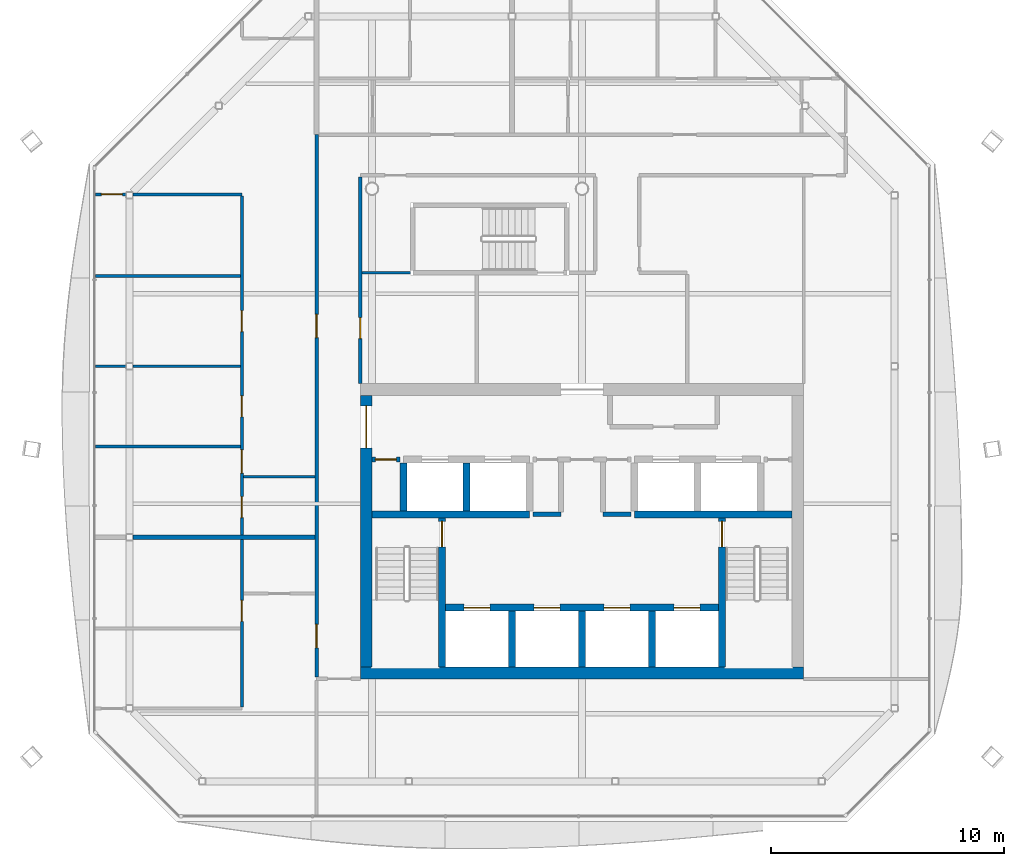
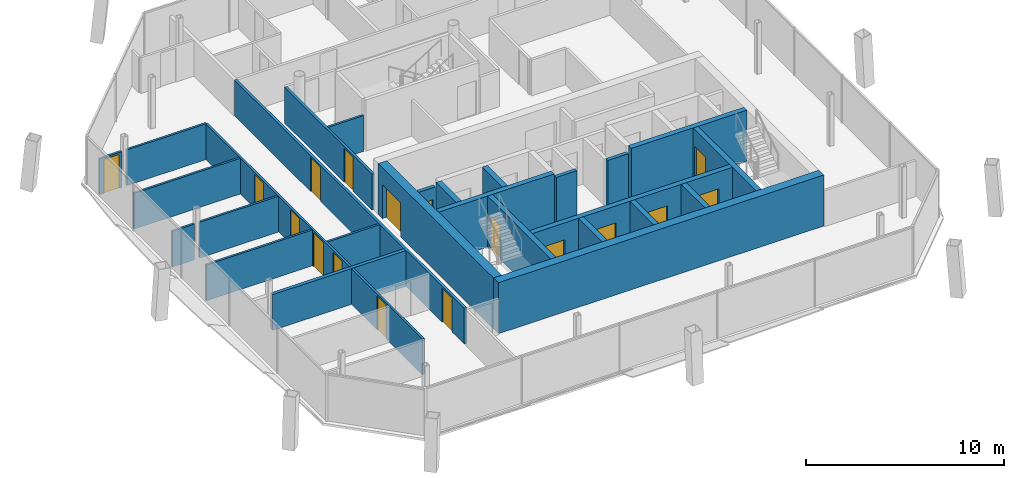
# One storey, part 10 of 15: 27 walls, 17 doors, 17 openings.
"""IFC4 building model written with IfcOpenShell, lengths in metres."""

from ifc_helpers import new_model, si_unit, direction, frame, frame_2d, origin, place, context, subcontext, project, spatial, rectangle, extrude, material, layer, layer_set, type_object, element, fill, save


model = new_model("IFC4")

# Units and contexts
model_context = context("Model", 3, precision=1e-05, world=origin(), true_north=direction((0.0, 1.0)))
body_context = subcontext(model_context, "Body", "Model", "MODEL_VIEW")
ifc_project = project(units=[si_unit("LENGTHUNIT", "METRE"), si_unit("AREAUNIT", "SQUARE_METRE"), si_unit("VOLUMEUNIT", "CUBIC_METRE"), si_unit("PLANEANGLEUNIT", "RADIAN"), si_unit("MASSUNIT", "GRAM", prefix="KILO")], contexts=[model_context])

# Site, building, storey
site_placement = place(None, origin())
site = spatial("IfcSite", under=ifc_project, at=site_placement, CompositionType="ELEMENT")
building_placement = place(site_placement, origin())
building = spatial("IfcBuilding", under=site, at=building_placement, Name="Tskaro Facet Tower", CompositionType="ELEMENT")
storey_placement = place(building_placement, frame((0.0, 0.0, 242.39990234375)))
storey = spatial("IfcBuildingStorey", under=building, at=storey_placement, Name="L63", CompositionType="ELEMENT", Elevation=242.39990234375)

# Wall, openings, doors
ifc_material_1 = material(Name="Concrete C60/75", Category="concrete")
ifc_layer_1 = layer(ifc_material_1, 0.300048828125, Name="Concrete C60/75")
ifc_layer_set_1 = layer_set([ifc_layer_1], Name="Concrete C60/75")
wall_type_1 = type_object("IfcWallType", Name="CORE-SHAFT", PredefinedType="SHEAR", material=ifc_layer_set_1)
wall_1_placement = place(storey_placement, frame((-5.85009765625, -8.949951171875, 0.0), z_axis=(0.0, 0.0, 1.0), x_axis=(1.0, 0.0, 0.0)))
wall_1 = element("IfcWall", 1, at=wall_1_placement, inside=storey, type_object=wall_type_1, Name="Shaft wall W006", PredefinedType="SHEAR", context=body_context, shape_type="SweptSolid", body=[
    extrude(rectangle(XDim=11.7001953125, YDim=0.300048828125, at=frame_2d((5.85009765625, 0.0))), origin(), (0.0, 0.0, 1.0), 3.150146484375),
])
opening_1_placement = place(wall_1_placement, frame((0.800048828125, 0.0, 0.0)))
opening_1 = element("IfcOpeningElement", 2, at=opening_1_placement, cuts=wall_1, Name="Opening LD-FF1", PredefinedType="OPENING", context=body_context, shape_type="SweptSolid", body=[
    extrude(rectangle(XDim=1.10009765625, YDim=2.10009765625, at=frame_2d((0.550048828125, 1.050048828125))), frame((0.0, 0.159912109375, 0.0), z_axis=(0.0, -1.0, 0.0), x_axis=(1.0, 0.0, 0.0)), (0.0, 0.0, 1.0), 0.320068359375),
])
opening_2_placement = place(wall_1_placement, frame((3.800048828125, 0.0, 0.0)))
opening_2 = element("IfcOpeningElement", 3, at=opening_2_placement, cuts=wall_1, Name="Opening LD-FF2", PredefinedType="OPENING", context=body_context, shape_type="SweptSolid", body=[
    extrude(rectangle(XDim=1.10009765625, YDim=2.10009765625, at=frame_2d((0.550048828125, 1.050048828125))), frame((0.0, 0.159912109375, 0.0), z_axis=(0.0, -1.0, 0.0), x_axis=(1.0, 0.0, 0.0)), (0.0, 0.0, 1.0), 0.320068359375),
])
opening_3_placement = place(wall_1_placement, frame((6.800048828125, 0.0, 0.0)))
opening_3 = element("IfcOpeningElement", 4, at=opening_3_placement, cuts=wall_1, Name="Opening LD-SV1", PredefinedType="OPENING", context=body_context, shape_type="SweptSolid", body=[
    extrude(rectangle(XDim=1.10009765625, YDim=2.10009765625, at=frame_2d((0.550048828125, 1.050048828125))), frame((0.0, 0.159912109375, 0.0), z_axis=(0.0, -1.0, 0.0), x_axis=(1.0, 0.0, 0.0)), (0.0, 0.0, 1.0), 0.320068359375),
])
opening_4_placement = place(wall_1_placement, frame((9.800048828125, 0.0, 0.0)))
opening_4 = element("IfcOpeningElement", 5, at=opening_4_placement, cuts=wall_1, Name="Opening LD-SV2", PredefinedType="OPENING", context=body_context, shape_type="SweptSolid", body=[
    extrude(rectangle(XDim=1.10009765625, YDim=2.10009765625, at=frame_2d((0.550048828125, 1.050048828125))), frame((0.0, 0.159912109375, 0.0), z_axis=(0.0, -1.0, 0.0), x_axis=(1.0, 0.0, 0.0)), (0.0, 0.0, 1.0), 0.320068359375),
])
ifc_material_2 = material(Name="Stainless steel", Category="steel")
door_type_1 = type_object("IfcDoorType", Name="D-LANDING", OperationType="NOTDEFINED", PredefinedType="DOOR", material=ifc_material_2)
door_1_placement = place(opening_1_placement, origin())
door_1 = element("IfcDoor", 6, at=door_1_placement, inside=storey, type_object=door_type_1, Name="Landing door FF1", OperationType="DOUBLE_DOOR_SLIDING", OverallHeight=2.10009765625, OverallWidth=1.10009765625, PredefinedType="DOOR", context=body_context, shape_type="SweptSolid", body=[
    extrude(rectangle(XDim=1.10009765625, YDim=2.10009765625, at=frame_2d((0.550048828125, 1.050048828125))), frame((0.0, 0.02490234375, 0.0), z_axis=(0.0, -1.0, 0.0), x_axis=(1.0, 0.0, 0.0)), (0.0, 0.0, 1.0), 0.050048828125),
])
fill(opening_1, door_1)
door_2_placement = place(opening_2_placement, origin())
door_2 = element("IfcDoor", 7, at=door_2_placement, inside=storey, type_object=door_type_1, Name="Landing door FF2", OperationType="DOUBLE_DOOR_SLIDING", OverallHeight=2.10009765625, OverallWidth=1.10009765625, PredefinedType="DOOR", context=body_context, shape_type="SweptSolid", body=[
    extrude(rectangle(XDim=1.10009765625, YDim=2.10009765625, at=frame_2d((0.550048828125, 1.050048828125))), frame((0.0, 0.02490234375, 0.0), z_axis=(0.0, -1.0, 0.0), x_axis=(1.0, 0.0, 0.0)), (0.0, 0.0, 1.0), 0.050048828125),
])
fill(opening_2, door_2)
door_3_placement = place(opening_3_placement, origin())
door_3 = element("IfcDoor", 8, at=door_3_placement, inside=storey, type_object=door_type_1, Name="Landing door SV1", OperationType="DOUBLE_DOOR_SLIDING", OverallHeight=2.10009765625, OverallWidth=1.10009765625, PredefinedType="DOOR", context=body_context, shape_type="SweptSolid", body=[
    extrude(rectangle(XDim=1.10009765625, YDim=2.10009765625, at=frame_2d((0.550048828125, 1.050048828125))), frame((0.0, 0.02490234375, 0.0), z_axis=(0.0, -1.0, 0.0), x_axis=(1.0, 0.0, 0.0)), (0.0, 0.0, 1.0), 0.050048828125),
])
fill(opening_3, door_3)
door_4_placement = place(opening_4_placement, origin())
door_4 = element("IfcDoor", 9, at=door_4_placement, inside=storey, type_object=door_type_1, Name="Landing door SV2", OperationType="DOUBLE_DOOR_SLIDING", OverallHeight=2.10009765625, OverallWidth=1.10009765625, PredefinedType="DOOR", context=body_context, shape_type="SweptSolid", body=[
    extrude(rectangle(XDim=1.10009765625, YDim=2.10009765625, at=frame_2d((0.550048828125, 1.050048828125))), frame((0.0, 0.02490234375, 0.0), z_axis=(0.0, -1.0, 0.0), x_axis=(1.0, 0.0, 0.0)), (0.0, 0.0, 1.0), 0.050048828125),
])
fill(opening_4, door_4)

# Walls
for number, where, z_axis, x_axis, name in (
    (10, (-9.0, -4.949951171875, 0.0), (0.0, 0.0, 1.0), (1.0, 0.0, 0.0), "Shaft wall W010"),
    (11, (2.25, -4.949951171875, 0.0), (0.0, 0.0, 1.0), (1.0, 0.0, 0.0), "Shaft wall W013"),
):
    element("IfcWall", number, at=place(storey_placement, frame(where, z_axis=z_axis, x_axis=x_axis)), inside=storey, type_object=wall_type_1, Name=name, PredefinedType="SHEAR", context=body_context, shape_type="SweptSolid", body=[
        extrude(rectangle(XDim=6.75, YDim=0.300048828125, at=frame_2d((3.375, 0.0))), origin(), (0.0, 0.0, 1.0), 3.150146484375),
    ])
wall_2_placement = place(storey_placement, frame((-7.64990234375, -4.800048828125, 0.0), z_axis=(0.0, 0.0, 1.0), x_axis=(0.0, 1.0, 0.0)))
element("IfcWall", 12, at=wall_2_placement, inside=storey, type_object=wall_type_1, Name="Shaft wall W046", PredefinedType="SHEAR", context=body_context, shape_type="SweptSolid", body=[
    extrude(rectangle(XDim=2.050048828125, YDim=0.300048828125, at=frame_2d((1.02490234375, 0.0))), origin(), (0.0, 0.0, 1.0), 3.150146484375),
])

# Wall, opening, door
wall_3_placement = place(storey_placement, frame((-6.0, -11.5, 0.0), z_axis=(0.0, 0.0, 1.0), x_axis=(0.0, 1.0, 0.0)))
wall_3 = element("IfcWall", 13, at=wall_3_placement, inside=storey, type_object=wall_type_1, Name="Shaft wall W049", PredefinedType="SHEAR", context=body_context, shape_type="SweptSolid", body=[
    extrude(rectangle(XDim=6.39990234375, YDim=0.300048828125, at=frame_2d((3.199951171875, 0.0))), origin(), (0.0, 0.0, 1.0), 3.150146484375),
])
opening_5_placement = place(wall_3_placement, frame((5.14990234375, 0.0, 0.0)))
opening_5 = element("IfcOpeningElement", 14, at=opening_5_placement, cuts=wall_3, Name="Opening ST-1-D1", PredefinedType="OPENING", context=body_context, shape_type="SweptSolid", body=[
    extrude(rectangle(XDim=1.10009765625, YDim=2.10009765625, at=frame_2d((0.550048828125, 1.050048828125))), frame((0.0, 0.159912109375, 0.0), z_axis=(0.0, -1.0, 0.0), x_axis=(1.0, 0.0, 0.0)), (0.0, 0.0, 1.0), 0.320068359375),
])
ifc_material_3 = material(Name="Steel", Category="steel")
door_type_2 = type_object("IfcDoorType", Name="D-STAIR", OperationType="NOTDEFINED", PredefinedType="DOOR", material=ifc_material_3)
door_5_placement = place(opening_5_placement, origin())
door_5 = element("IfcDoor", 15, at=door_5_placement, inside=storey, type_object=door_type_2, Name="Stair door 1", OperationType="SINGLE_SWING_LEFT", OverallHeight=2.10009765625, OverallWidth=1.10009765625, PredefinedType="DOOR", context=body_context, shape_type="SweptSolid", body=[
    extrude(rectangle(XDim=1.10009765625, YDim=2.10009765625, at=frame_2d((0.550048828125, 1.050048828125))), frame((0.0, 0.02490234375, 0.0), z_axis=(0.0, -1.0, 0.0), x_axis=(1.0, 0.0, 0.0)), (0.0, 0.0, 1.0), 0.050048828125),
])
fill(opening_5, door_5)

# Walls
wall_4_placement = place(storey_placement, frame((-4.949951171875, -4.800048828125, 0.0), z_axis=(0.0, 0.0, 1.0), x_axis=(0.0, 1.0, 0.0)))
element("IfcWall", 16, at=wall_4_placement, inside=storey, type_object=wall_type_1, Name="Shaft wall W050", PredefinedType="SHEAR", context=body_context, shape_type="SweptSolid", body=[
    extrude(rectangle(XDim=2.050048828125, YDim=0.300048828125, at=frame_2d((1.02490234375, 0.0))), origin(), (0.0, 0.0, 1.0), 3.150146484375),
])
for number, where, z_axis, x_axis, name in (
    (17, (-3.0, -11.5, 0.0), (0.0, 0.0, 1.0), (0.0, 1.0, 0.0), "Shaft wall W052"),
    (18, (0.0, -11.5, 0.0), (0.0, 0.0, 1.0), (0.0, 1.0, 0.0), "Shaft wall W060"),
    (19, (3.0, -11.5, 0.0), (0.0, 0.0, 1.0), (0.0, 1.0, 0.0), "Shaft wall W066"),
):
    element("IfcWall", number, at=place(storey_placement, frame(where, z_axis=z_axis, x_axis=x_axis)), inside=storey, type_object=wall_type_1, Name=name, PredefinedType="SHEAR", context=body_context, shape_type="SweptSolid", body=[
        extrude(rectangle(XDim=2.39990234375, YDim=0.300048828125, at=frame_2d((1.199951171875, 0.0))), origin(), (0.0, 0.0, 1.0), 3.150146484375),
    ])

# Wall, opening, door
wall_5_placement = place(storey_placement, frame((6.0, -5.10009765625, 0.0), z_axis=(0.0, 0.0, 1.0), x_axis=(0.0, -1.0, 0.0)))
wall_5 = element("IfcWall", 20, at=wall_5_placement, inside=storey, type_object=wall_type_1, Name="Shaft wall W073", PredefinedType="SHEAR", context=body_context, shape_type="SweptSolid", body=[
    extrude(rectangle(XDim=6.39990234375, YDim=0.300048828125, at=frame_2d((3.199951171875, 0.0))), origin(), (0.0, 0.0, 1.0), 3.150146484375),
])
opening_6_placement = place(wall_5_placement, frame((0.14990234375, 0.0, 0.0)))
opening_6 = element("IfcOpeningElement", 21, at=opening_6_placement, cuts=wall_5, Name="Opening ST-2-D1", PredefinedType="OPENING", context=body_context, shape_type="SweptSolid", body=[
    extrude(rectangle(XDim=1.10009765625, YDim=2.10009765625, at=frame_2d((0.550048828125, 1.050048828125))), frame((0.0, 0.159912109375, 0.0), z_axis=(0.0, -1.0, 0.0), x_axis=(1.0, 0.0, 0.0)), (0.0, 0.0, 1.0), 0.320068359375),
])
door_6_placement = place(opening_6_placement, origin())
door_6 = element("IfcDoor", 22, at=door_6_placement, inside=storey, type_object=door_type_2, Name="Stair door 2", OperationType="SINGLE_SWING_RIGHT", OverallHeight=2.10009765625, OverallWidth=1.10009765625, PredefinedType="DOOR", context=body_context, shape_type="SweptSolid", body=[
    extrude(rectangle(XDim=1.10009765625, YDim=2.10009765625, at=frame_2d((0.550048828125, 1.050048828125))), frame((0.0, 0.02490234375, 0.0), z_axis=(0.0, -1.0, 0.0), x_axis=(1.0, 0.0, 0.0)), (0.0, 0.0, 1.0), 0.050048828125),
])
fill(opening_6, door_6)

# Walls
ifc_material_4 = material(Name="Concrete C20/25", Category="concrete")
ifc_layer_2 = layer(ifc_material_4, 0.199951171875, Name="Concrete C20/25")
ifc_layer_set_2 = layer_set([ifc_layer_2], Name="Concrete C20/25")
wall_type_2 = type_object("IfcWallType", Name="CORE-WALL", PredefinedType="SOLIDWALL", material=ifc_layer_set_2)
for number, where, z_axis, x_axis, name in (
    (23, (-2.10009765625, -4.949951171875, 0.0), (0.0, 0.0, 1.0), (1.0, 0.0, 0.0), "Core room wall W011"),
    (24, (0.89990234375, -4.949951171875, 0.0), (0.0, 0.0, 1.0), (1.0, 0.0, 0.0), "Core room wall W012"),
):
    element("IfcWall", number, at=place(storey_placement, frame(where, z_axis=z_axis, x_axis=x_axis)), inside=storey, type_object=wall_type_2, Name=name, PredefinedType="SOLIDWALL", context=body_context, shape_type="SweptSolid", body=[
        extrude(rectangle(XDim=1.2001953125, YDim=0.199951171875, at=frame_2d((0.60009765625, 0.0))), origin(), (0.0, 0.0, 1.0), 2.85009765625),
    ])

# Wall, opening, door
wall_6_placement = place(storey_placement, frame((-7.800048828125, -2.60009765625, 0.0), z_axis=(0.0, 0.0, 1.0), x_axis=(-1.0, 0.0, 0.0)))
wall_6 = element("IfcWall", 25, at=wall_6_placement, inside=storey, type_object=wall_type_2, Name="Core room wall W015", PredefinedType="SOLIDWALL", context=body_context, shape_type="SweptSolid", body=[
    extrude(rectangle(XDim=1.199951171875, YDim=0.199951171875, at=frame_2d((0.60009765625, 0.0))), origin(), (0.0, 0.0, 1.0), 2.85009765625),
])
opening_7_placement = place(wall_6_placement, frame((0.14990234375, 0.0, 0.0)))
opening_7 = element("IfcOpeningElement", 26, at=opening_7_placement, cuts=wall_6, Name="Opening T18-D08", PredefinedType="OPENING", context=body_context, shape_type="SweptSolid", body=[
    extrude(rectangle(XDim=0.89990234375, YDim=2.10009765625, at=frame_2d((0.449951171875, 1.050048828125))), frame((0.0, 0.10986328125, 0.0), z_axis=(0.0, -1.0, 0.0), x_axis=(1.0, 0.0, 0.0)), (0.0, 0.0, 1.0), 0.219970703125),
])
ifc_material_5 = material(Name="Timber", Category="wood")
door_type_3 = type_object("IfcDoorType", Name="D-ROOM", OperationType="NOTDEFINED", PredefinedType="DOOR", material=ifc_material_5)
door_7_placement = place(opening_7_placement, origin())
door_7 = element("IfcDoor", 27, at=door_7_placement, inside=storey, type_object=door_type_3, Name="Door T18-D08", OperationType="SINGLE_SWING_RIGHT", OverallHeight=2.10009765625, OverallWidth=0.89990234375, PredefinedType="DOOR", context=body_context, shape_type="SweptSolid", body=[
    extrude(rectangle(XDim=0.89990234375, YDim=2.10009765625, at=frame_2d((0.449951171875, 1.050048828125))), frame((0.0, 0.02490234375, 0.0), z_axis=(0.0, -1.0, 0.0), x_axis=(1.0, 0.0, 0.0)), (0.0, 0.0, 1.0), 0.050048828125),
])
fill(opening_7, door_7)

# Wall
ifc_material_6 = material(Name="Concrete C40/50", Category="concrete")
ifc_layer_3 = layer(ifc_material_6, 0.5, Name="Concrete C40/50")
ifc_layer_set_3 = layer_set([ifc_layer_3], Name="Concrete C40/50")
wall_type_3 = type_object("IfcWallType", Name="Core wall 500", PredefinedType="SHEAR", material=ifc_layer_set_3)
wall_7_placement = place(storey_placement, frame((-9.5, -11.75, 0.0), z_axis=(0.0, 0.0, 1.0), x_axis=(1.0, 0.0, 0.0)))
element("IfcWall", 28, at=wall_7_placement, inside=storey, type_object=wall_type_3, Name="Core wall CW-Z3S", PredefinedType="SHEAR", context=body_context, shape_type="SweptSolid", body=[
    extrude(rectangle(XDim=19.0, YDim=0.5, at=frame_2d((9.5, 0.0))), origin(), (0.0, 0.0, 1.0), 3.150146484375),
])

# Wall, opening, door
wall_8_placement = place(storey_placement, frame((-9.25, -11.5, 0.0), z_axis=(0.0, 0.0, 1.0), x_axis=(0.0, 1.0, 0.0)))
wall_8 = element("IfcWall", 29, at=wall_8_placement, inside=storey, type_object=wall_type_3, Name="Core wall CW-Z3W", PredefinedType="SHEAR", context=body_context, shape_type="SweptSolid", body=[
    extrude(rectangle(XDim=11.64990234375, YDim=0.5, at=frame_2d((5.824951171875, 0.0))), origin(), (0.0, 0.0, 1.0), 3.150146484375),
])
opening_8_placement = place(wall_8_placement, frame((9.39990234375, 0.0, 0.0)))
opening_8 = element("IfcOpeningElement", 30, at=opening_8_placement, cuts=wall_8, Name="Opening T18-D12", PredefinedType="OPENING", context=body_context, shape_type="SweptSolid", body=[
    extrude(rectangle(XDim=1.800048828125, YDim=2.10009765625, at=frame_2d((0.89990234375, 1.050048828125))), frame((0.0, 0.260009765625, 0.0), z_axis=(0.0, -1.0, 0.0), x_axis=(1.0, 0.0, 0.0)), (0.0, 0.0, 1.0), 0.52001953125),
])
door_type_4 = type_object("IfcDoorType", Name="D-CORE-PAIR", OperationType="NOTDEFINED", PredefinedType="DOOR", material=ifc_material_3)
door_8_placement = place(opening_8_placement, origin())
door_8 = element("IfcDoor", 31, at=door_8_placement, inside=storey, type_object=door_type_4, Name="Door T18-D12", OperationType="DOUBLE_DOOR_SINGLE_SWING", OverallHeight=2.10009765625, OverallWidth=1.800048828125, PredefinedType="DOOR", context=body_context, shape_type="SweptSolid", body=[
    extrude(rectangle(XDim=1.800048828125, YDim=2.10009765625, at=frame_2d((0.89990234375, 1.050048828125))), frame((0.0, 0.02490234375, 0.0), z_axis=(0.0, -1.0, 0.0), x_axis=(1.0, 0.0, 0.0)), (0.0, 0.0, 1.0), 0.050048828125),
])
fill(opening_8, door_8)

# Walls
ifc_material_7 = material(Name="Gypsum board on steel studs", Category="steel")
ifc_layer_4 = layer(ifc_material_7, 0.125, Name="Gypsum board on steel studs")
ifc_layer_set_4 = layer_set([ifc_layer_4], Name="Gypsum board on steel studs")
wall_type_4 = type_object("IfcWallType", Name="PART", PredefinedType="PARTITIONING", material=ifc_layer_set_4)
wall_9_placement = place(storey_placement, frame((-14.512451171875, -3.340087890625, 0.0), z_axis=(0.0, 0.0, 1.0), x_axis=(1.0, 0.0, 0.0)))
element("IfcWall", 32, at=wall_9_placement, inside=storey, type_object=wall_type_4, Name="Partition W014", PredefinedType="PARTITIONING", context=body_context, shape_type="SweptSolid", body=[
    extrude(rectangle(XDim=3.0625, YDim=0.125, at=frame_2d((1.53125, 0.0))), origin(), (0.0, 0.0, 1.0), 2.210205078125),
])
wall_10_placement = place(storey_placement, frame((-20.839111328125, -2.0400390625, 0.0), z_axis=(0.0, 0.0, 1.0), x_axis=(1.0, 0.0, 0.0)))
element("IfcWall", 33, at=wall_10_placement, inside=storey, type_object=wall_type_4, Name="Partition W020", PredefinedType="PARTITIONING", context=body_context, shape_type="SweptSolid", body=[
    extrude(rectangle(XDim=6.20166015625, YDim=0.125, at=frame_2d((3.100830078125, 0.0))), origin(), (0.0, 0.0, 1.0), 2.210205078125),
])
wall_11_placement = place(storey_placement, frame((-20.839111328125, 1.39501953125, 0.0), z_axis=(0.0, 0.0, 1.0), x_axis=(1.0, 0.0, 0.0)))
element("IfcWall", 34, at=wall_11_placement, inside=storey, type_object=wall_type_4, Name="Partition W022", PredefinedType="PARTITIONING", context=body_context, shape_type="SweptSolid", body=[
    extrude(rectangle(XDim=1.298095703125, YDim=0.125, at=frame_2d((0.64892578125, 0.0))), origin(), (0.0, 0.0, 1.0), 2.210205078125),
])
wall_12_placement = place(storey_placement, frame((-19.240966796875, 1.39501953125, 0.0), z_axis=(0.0, 0.0, 1.0), x_axis=(1.0, 0.0, 0.0)))
element("IfcWall", 35, at=wall_12_placement, inside=storey, type_object=wall_type_4, Name="Partition W023", PredefinedType="PARTITIONING", context=body_context, shape_type="SweptSolid", body=[
    extrude(rectangle(XDim=4.603515625, YDim=0.125, at=frame_2d((2.3017578125, 0.0))), origin(), (0.0, 0.0, 1.0), 2.210205078125),
])
wall_13_placement = place(storey_placement, frame((-20.839111328125, 5.260009765625, 0.0), z_axis=(0.0, 0.0, 1.0), x_axis=(1.0, 0.0, 0.0)))
element("IfcWall", 36, at=wall_13_placement, inside=storey, type_object=wall_type_4, Name="Partition W024", PredefinedType="PARTITIONING", context=body_context, shape_type="SweptSolid", body=[
    extrude(rectangle(XDim=6.20166015625, YDim=0.125, at=frame_2d((3.100830078125, 0.0))), origin(), (0.0, 0.0, 1.0), 2.210205078125),
])
wall_14_placement = place(storey_placement, frame((-9.425048828125, 5.39990234375, 0.0), z_axis=(0.0, 0.0, 1.0), x_axis=(1.0, 0.0, 0.0)))
element("IfcWall", 37, at=wall_14_placement, inside=storey, type_object=wall_type_4, Name="Partition W025", PredefinedType="PARTITIONING", context=body_context, shape_type="SweptSolid", body=[
    extrude(rectangle(XDim=2.074951171875, YDim=0.125, at=frame_2d((1.03759765625, 0.0))), origin(), (0.0, 0.0, 1.0), 2.210205078125),
])

# Wall, opening, door
wall_15_placement = place(storey_placement, frame((-19.541015625, 8.760009765625, 0.0), z_axis=(0.0, 0.0, 1.0), x_axis=(-1.0, 0.0, 0.0)))
wall_15 = element("IfcWall", 38, at=wall_15_placement, inside=storey, type_object=wall_type_4, Name="Partition W030", PredefinedType="PARTITIONING", context=body_context, shape_type="SweptSolid", body=[
    extrude(rectangle(XDim=1.298095703125, YDim=0.125, at=frame_2d((0.64892578125, 0.0))), origin(), (0.0, 0.0, 1.0), 2.210205078125),
])
opening_9_placement = place(wall_15_placement, frame((0.14990234375, 0.0, 0.0)))
opening_9 = element("IfcOpeningElement", 39, at=opening_9_placement, cuts=wall_15, Name="Opening T18-D20", PredefinedType="OPENING", context=body_context, shape_type="SweptSolid", body=[
    extrude(rectangle(XDim=0.89990234375, YDim=2.10009765625, at=frame_2d((0.449951171875, 1.050048828125))), frame((0.0, 0.072509765625, 0.0), z_axis=(0.0, -1.0, 0.0), x_axis=(1.0, 0.0, 0.0)), (0.0, 0.0, 1.0), 0.14501953125),
])
door_9_placement = place(opening_9_placement, origin())
door_9 = element("IfcDoor", 40, at=door_9_placement, inside=storey, type_object=door_type_3, Name="Door T18-D20", OperationType="SINGLE_SWING_RIGHT", OverallHeight=2.10009765625, OverallWidth=0.89990234375, PredefinedType="DOOR", context=body_context, shape_type="SweptSolid", body=[
    extrude(rectangle(XDim=0.89990234375, YDim=2.10009765625, at=frame_2d((0.449951171875, 1.050048828125))), frame((0.0, 0.02490234375, 0.0), z_axis=(0.0, -1.0, 0.0), x_axis=(1.0, 0.0, 0.0)), (0.0, 0.0, 1.0), 0.050048828125),
])
fill(opening_9, door_9)

# Wall
wall_16_placement = place(storey_placement, frame((-19.240966796875, 8.760009765625, 0.0), z_axis=(0.0, 0.0, 1.0), x_axis=(1.0, 0.0, 0.0)))
element("IfcWall", 41, at=wall_16_placement, inside=storey, type_object=wall_type_4, Name="Partition W031", PredefinedType="PARTITIONING", context=body_context, shape_type="SweptSolid", body=[
    extrude(rectangle(XDim=4.666015625, YDim=0.125, at=frame_2d((2.3330078125, 0.0))), origin(), (0.0, 0.0, 1.0), 2.210205078125),
])

# Wall, openings, doors
wall_17_placement = place(storey_placement, frame((-14.574951171875, -13.20751953125, 0.0), z_axis=(0.0, 0.0, 1.0), x_axis=(0.0, 1.0, 0.0)))
wall_17 = element("IfcWall", 42, at=wall_17_placement, inside=storey, type_object=wall_type_4, Name="Partition W039", PredefinedType="PARTITIONING", context=body_context, shape_type="SweptSolid", body=[
    extrude(rectangle(XDim=21.905029296875, YDim=0.125, at=frame_2d((10.95263671875, 0.0))), origin(), (0.0, 0.0, 1.0), 2.210205078125),
])
opening_10_placement = place(wall_17_placement, frame((3.66748046875, 0.0, 0.0)))
opening_10 = element("IfcOpeningElement", 43, at=opening_10_placement, cuts=wall_17, Name="Opening T18-D04", PredefinedType="OPENING", context=body_context, shape_type="SweptSolid", body=[
    extrude(rectangle(XDim=0.89990234375, YDim=2.10009765625, at=frame_2d((0.449951171875, 1.050048828125))), frame((0.0, 0.072509765625, 0.0), z_axis=(0.0, -1.0, 0.0), x_axis=(1.0, 0.0, 0.0)), (0.0, 0.0, 1.0), 0.14501953125),
])
opening_11_placement = place(wall_17_placement, frame((12.43505859375, 0.0, 0.0)))
opening_11 = element("IfcOpeningElement", 44, at=opening_11_placement, cuts=wall_17, Name="Opening T18-D14", PredefinedType="OPENING", context=body_context, shape_type="SweptSolid", body=[
    extrude(rectangle(XDim=0.89990234375, YDim=2.10009765625, at=frame_2d((0.449951171875, 1.050048828125))), frame((0.0, 0.072509765625, 0.0), z_axis=(0.0, -1.0, 0.0), x_axis=(1.0, 0.0, 0.0)), (0.0, 0.0, 1.0), 0.14501953125),
])
opening_12_placement = place(wall_17_placement, frame((16.0849609375, 0.0, 0.0)))
opening_12 = element("IfcOpeningElement", 45, at=opening_12_placement, cuts=wall_17, Name="Opening T18-D18", PredefinedType="OPENING", context=body_context, shape_type="SweptSolid", body=[
    extrude(rectangle(XDim=0.89990234375, YDim=2.10009765625, at=frame_2d((0.449951171875, 1.050048828125))), frame((0.0, 0.072509765625, 0.0), z_axis=(0.0, -1.0, 0.0), x_axis=(1.0, 0.0, 0.0)), (0.0, 0.0, 1.0), 0.14501953125),
])
opening_13_placement = place(wall_17_placement, frame((10.017578125, 0.0, 0.0)))
opening_13 = element("IfcOpeningElement", 46, at=opening_13_placement, cuts=wall_17, Name="Opening T18-D07", PredefinedType="OPENING", context=body_context, shape_type="SweptSolid", body=[
    extrude(rectangle(XDim=1.0, YDim=2.10009765625, at=frame_2d((0.5, 1.050048828125))), frame((0.0, 0.072509765625, 0.0), z_axis=(0.0, -1.0, 0.0), x_axis=(1.0, 0.0, 0.0)), (0.0, 0.0, 1.0), 0.14501953125),
])
opening_14_placement = place(wall_17_placement, frame((8.117431640625, 0.0, 0.0)))
opening_14 = element("IfcOpeningElement", 47, at=opening_14_placement, cuts=wall_17, Name="Opening T18-D06", PredefinedType="OPENING", context=body_context, shape_type="SweptSolid", body=[
    extrude(rectangle(XDim=0.89990234375, YDim=2.10009765625, at=frame_2d((0.449951171875, 1.050048828125))), frame((0.0, 0.072509765625, 0.0), z_axis=(0.0, -1.0, 0.0), x_axis=(1.0, 0.0, 0.0)), (0.0, 0.0, 1.0), 0.14501953125),
])
door_10_placement = place(opening_10_placement, origin())
door_10 = element("IfcDoor", 48, at=door_10_placement, inside=storey, type_object=door_type_3, Name="Door T18-D04", OperationType="SINGLE_SWING_LEFT", OverallHeight=2.10009765625, OverallWidth=0.89990234375, PredefinedType="DOOR", context=body_context, shape_type="SweptSolid", body=[
    extrude(rectangle(XDim=0.89990234375, YDim=2.10009765625, at=frame_2d((0.449951171875, 1.050048828125))), frame((0.0, 0.02490234375, 0.0), z_axis=(0.0, -1.0, 0.0), x_axis=(1.0, 0.0, 0.0)), (0.0, 0.0, 1.0), 0.050048828125),
])
fill(opening_10, door_10)
door_11_placement = place(opening_11_placement, origin())
door_11 = element("IfcDoor", 49, at=door_11_placement, inside=storey, type_object=door_type_3, Name="Door T18-D14", OperationType="SINGLE_SWING_LEFT", OverallHeight=2.10009765625, OverallWidth=0.89990234375, PredefinedType="DOOR", context=body_context, shape_type="SweptSolid", body=[
    extrude(rectangle(XDim=0.89990234375, YDim=2.10009765625, at=frame_2d((0.449951171875, 1.050048828125))), frame((0.0, 0.02490234375, 0.0), z_axis=(0.0, -1.0, 0.0), x_axis=(1.0, 0.0, 0.0)), (0.0, 0.0, 1.0), 0.050048828125),
])
fill(opening_11, door_11)
door_12_placement = place(opening_12_placement, origin())
door_12 = element("IfcDoor", 50, at=door_12_placement, inside=storey, type_object=door_type_3, Name="Door T18-D18", OperationType="SINGLE_SWING_LEFT", OverallHeight=2.10009765625, OverallWidth=0.89990234375, PredefinedType="DOOR", context=body_context, shape_type="SweptSolid", body=[
    extrude(rectangle(XDim=0.89990234375, YDim=2.10009765625, at=frame_2d((0.449951171875, 1.050048828125))), frame((0.0, 0.02490234375, 0.0), z_axis=(0.0, -1.0, 0.0), x_axis=(1.0, 0.0, 0.0)), (0.0, 0.0, 1.0), 0.050048828125),
])
fill(opening_12, door_12)
door_13_placement = place(opening_14_placement, origin())
door_13 = element("IfcDoor", 51, at=door_13_placement, inside=storey, type_object=door_type_3, Name="Door T18-D06", OperationType="SINGLE_SWING_LEFT", OverallHeight=2.10009765625, OverallWidth=0.89990234375, PredefinedType="DOOR", context=body_context, shape_type="SweptSolid", body=[
    extrude(rectangle(XDim=0.89990234375, YDim=2.10009765625, at=frame_2d((0.449951171875, 1.050048828125))), frame((0.0, 0.02490234375, 0.0), z_axis=(0.0, -1.0, 0.0), x_axis=(1.0, 0.0, 0.0)), (0.0, 0.0, 1.0), 0.050048828125),
])
fill(opening_14, door_13)
door_type_5 = type_object("IfcDoorType", Name="D-ROOM-WIDE", OperationType="NOTDEFINED", PredefinedType="DOOR", material=ifc_material_5)
door_14_placement = place(opening_13_placement, origin())
door_14 = element("IfcDoor", 52, at=door_14_placement, inside=storey, type_object=door_type_5, Name="Door T18-D07", OperationType="SINGLE_SWING_LEFT", OverallHeight=2.10009765625, OverallWidth=1.0, PredefinedType="DOOR", context=body_context, shape_type="SweptSolid", body=[
    extrude(rectangle(XDim=1.0, YDim=2.10009765625, at=frame_2d((0.5, 1.050048828125))), frame((0.0, 0.02490234375, 0.0), z_axis=(0.0, -1.0, 0.0), x_axis=(1.0, 0.0, 0.0)), (0.0, 0.0, 1.0), 0.050048828125),
])
fill(opening_13, door_14)

ifc_layer_5 = layer(ifc_material_7, 0.14990234375, Name="Gypsum board on steel studs")
ifc_layer_set_5 = layer_set([ifc_layer_5], Name="Gypsum board on steel studs")
wall_type_5 = type_object("IfcWallType", Name="PART-CORR", PredefinedType="PARTITIONING", material=ifc_layer_set_5)
wall_18_placement = place(storey_placement, frame((-11.375, -11.925048828125, 0.0), z_axis=(0.0, 0.0, 1.0), x_axis=(0.0, 1.0, 0.0)))
wall_18 = element("IfcWall", 53, at=wall_18_placement, inside=storey, type_object=wall_type_5, Name="Corridor wall W042", PredefinedType="PARTITIONING", context=body_context, shape_type="SweptSolid", body=[
    extrude(rectangle(XDim=23.25, YDim=0.14990234375, at=frame_2d((11.625, 0.0))), origin(), (0.0, 0.0, 1.0), 2.210205078125),
])
opening_15_placement = place(wall_18_placement, frame((1.2548828125, 0.0, 0.0)))
opening_15 = element("IfcOpeningElement", 54, at=opening_15_placement, cuts=wall_18, Name="Opening T18-D03", PredefinedType="OPENING", context=body_context, shape_type="SweptSolid", body=[
    extrude(rectangle(XDim=1.0, YDim=2.10009765625, at=frame_2d((0.5, 1.050048828125))), frame((0.0, 0.0849609375, 0.0), z_axis=(0.0, -1.0, 0.0), x_axis=(1.0, 0.0, 0.0)), (0.0, 0.0, 1.0), 0.169921875),
])
opening_16_placement = place(wall_18_placement, frame((14.54248046875, 0.0, 0.0)))
opening_16 = element("IfcOpeningElement", 55, at=opening_16_placement, cuts=wall_18, Name="Opening T18-D17", PredefinedType="OPENING", context=body_context, shape_type="SweptSolid", body=[
    extrude(rectangle(XDim=1.0, YDim=2.10009765625, at=frame_2d((0.5, 1.050048828125))), frame((0.0, 0.0849609375, 0.0), z_axis=(0.0, -1.0, 0.0), x_axis=(1.0, 0.0, 0.0)), (0.0, 0.0, 1.0), 0.169921875),
])
door_type_6 = type_object("IfcDoorType", Name="D-FLAT-ENTRY", OperationType="NOTDEFINED", PredefinedType="DOOR", material=ifc_material_5)
door_15_placement = place(opening_15_placement, origin())
door_15 = element("IfcDoor", 56, at=door_15_placement, inside=storey, type_object=door_type_6, Name="Door T18-D03", OperationType="SINGLE_SWING_LEFT", OverallHeight=2.10009765625, OverallWidth=1.0, PredefinedType="DOOR", context=body_context, shape_type="SweptSolid", body=[
    extrude(rectangle(XDim=1.0, YDim=2.10009765625, at=frame_2d((0.5, 1.050048828125))), frame((0.0, 0.02490234375, 0.0), z_axis=(0.0, -1.0, 0.0), x_axis=(1.0, 0.0, 0.0)), (0.0, 0.0, 1.0), 0.050048828125),
])
fill(opening_15, door_15)
door_16_placement = place(opening_16_placement, origin())
door_16 = element("IfcDoor", 57, at=door_16_placement, inside=storey, type_object=door_type_6, Name="Door T18-D17", OperationType="SINGLE_SWING_LEFT", OverallHeight=2.10009765625, OverallWidth=1.0, PredefinedType="DOOR", context=body_context, shape_type="SweptSolid", body=[
    extrude(rectangle(XDim=1.0, YDim=2.10009765625, at=frame_2d((0.5, 1.050048828125))), frame((0.0, 0.02490234375, 0.0), z_axis=(0.0, -1.0, 0.0), x_axis=(1.0, 0.0, 0.0)), (0.0, 0.0, 1.0), 0.050048828125),
])
fill(opening_16, door_16)

# Wall, opening, door
wall_19_placement = place(storey_placement, frame((-9.5, 9.5, 0.0), z_axis=(0.0, 0.0, 1.0), x_axis=(0.0, -1.0, 0.0)))
wall_19 = element("IfcWall", 58, at=wall_19_placement, inside=storey, type_object=wall_type_5, Name="Corridor wall W044", PredefinedType="PARTITIONING", context=body_context, shape_type="SweptSolid", body=[
    extrude(rectangle(XDim=8.85009765625, YDim=0.14990234375, at=frame_2d((4.425048828125, 0.0))), origin(), (0.0, 0.0, 1.0), 2.210205078125),
])
opening_17_placement = place(wall_19_placement, frame((6.02490234375, 0.0, 0.0)))
opening_17 = element("IfcOpeningElement", 59, at=opening_17_placement, cuts=wall_19, Name="Opening T18-D16", PredefinedType="OPENING", context=body_context, shape_type="SweptSolid", body=[
    extrude(rectangle(XDim=0.89990234375, YDim=2.10009765625, at=frame_2d((0.449951171875, 1.050048828125))), frame((0.0, 0.0849609375, 0.0), z_axis=(0.0, -1.0, 0.0), x_axis=(1.0, 0.0, 0.0)), (0.0, 0.0, 1.0), 0.169921875),
])
door_17_placement = place(opening_17_placement, origin())
door_17 = element("IfcDoor", 60, at=door_17_placement, inside=storey, type_object=door_type_3, Name="Door T18-D16", OperationType="SINGLE_SWING_RIGHT", OverallHeight=2.10009765625, OverallWidth=0.89990234375, PredefinedType="DOOR", context=body_context, shape_type="SweptSolid", body=[
    extrude(rectangle(XDim=0.89990234375, YDim=2.10009765625, at=frame_2d((0.449951171875, 1.050048828125))), frame((0.0, 0.02490234375, 0.0), z_axis=(0.0, -1.0, 0.0), x_axis=(1.0, 0.0, 0.0)), (0.0, 0.0, 1.0), 0.050048828125),
])
fill(opening_17, door_17)

# Wall
ifc_layer_6 = layer(ifc_material_7, 0.199951171875, Name="Gypsum board on steel studs")
ifc_layer_set_6 = layer_set([ifc_layer_6], Name="Gypsum board on steel studs")
wall_type_6 = type_object("IfcWallType", Name="PART-DEMISING", PredefinedType="PARTITIONING", material=ifc_layer_set_6)
wall_20_placement = place(storey_placement, frame((-19.240966796875, -5.93994140625, 0.0), z_axis=(0.0, 0.0, 1.0), x_axis=(1.0, 0.0, 0.0)))
element("IfcWall", 61, at=wall_20_placement, inside=storey, type_object=wall_type_6, Name="Guest room wall W009", PredefinedType="PARTITIONING", context=body_context, shape_type="SweptSolid", body=[
    extrude(rectangle(XDim=7.791015625, YDim=0.199951171875, at=frame_2d((3.8955078125, 0.0))), origin(), (0.0, 0.0, 1.0), 2.210205078125),
])

save(model, "model.ifc")
